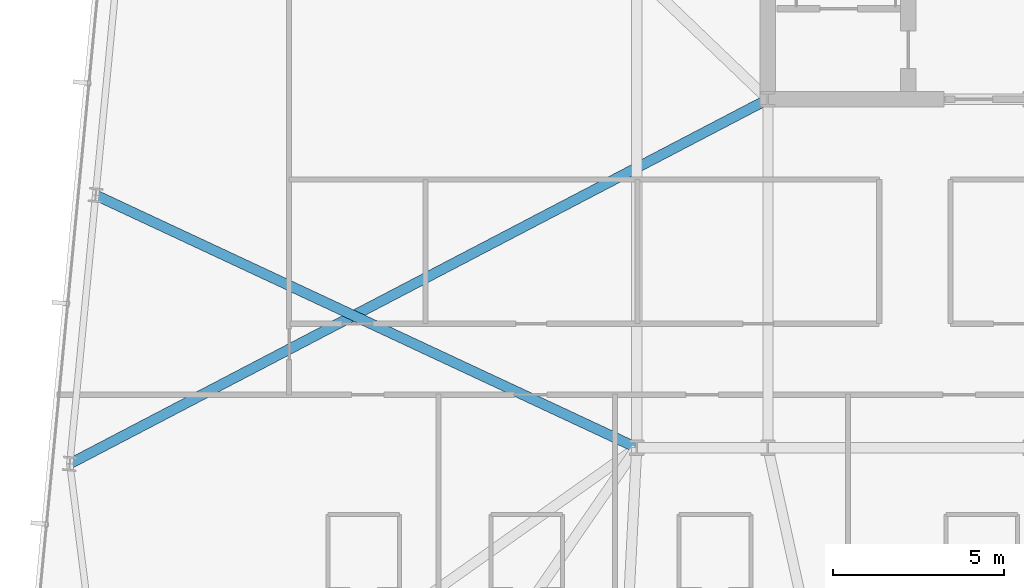
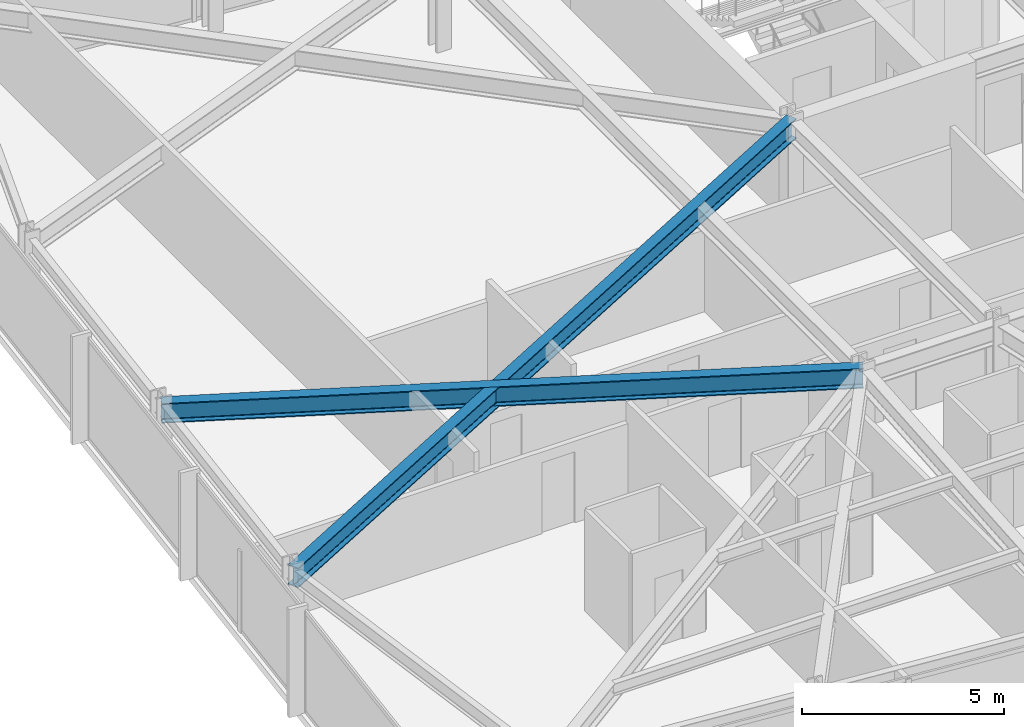
# One storey, part 9 of 38: 2 beams.
"""IFC4 building model written with IfcOpenShell, lengths in metres."""

from ifc_helpers import new_model, si_unit, direction, frame, origin, origin_2d, place, context, subcontext, project, spatial, i_section, extrude, material, material_profile, profile_set, type_object, element, save


model = new_model("IFC4")

# Units and contexts
model_context = context("Model", 3, precision=1e-05, world=origin(), true_north=direction((0.0, 1.0)))
body_context = subcontext(model_context, "Body", "Model", "MODEL_VIEW")
ifc_project = project(units=[si_unit("LENGTHUNIT", "METRE"), si_unit("AREAUNIT", "SQUARE_METRE"), si_unit("VOLUMEUNIT", "CUBIC_METRE"), si_unit("PLANEANGLEUNIT", "RADIAN"), si_unit("MASSUNIT", "GRAM", prefix="KILO")], contexts=[model_context])

# Site, building, storey
site_placement = place(None, origin())
site = spatial("IfcSite", under=ifc_project, at=site_placement, CompositionType="ELEMENT")
building_placement = place(site_placement, origin())
building = spatial("IfcBuilding", under=site, at=building_placement, Name="Yelkora Congress Tower", CompositionType="ELEMENT")
storey_placement = place(building_placement, frame((0.0, 0.0, 172.10009765625)))
storey = spatial("IfcBuildingStorey", under=building, at=storey_placement, Name="L47", CompositionType="ELEMENT", Elevation=172.10009765625)

# Beams
ifc_material = material(Name="Steel S355J2", Category="steel")
ifc_material_profile = material_profile(ifc_material, i_section(OverallWidth=0.300048828125, OverallDepth=0.60009765625, WebThickness=0.015380859375, FlangeThickness=0.030029296875, FilletRadius=0.027099609375, at=origin_2d()), Name="HEB 600")
ifc_profile_set = profile_set([ifc_material_profile], Name="Steel S355J2")
beam_type = type_object("IfcBeamType", Name="BM-GIRD-HEB600", PredefinedType="BEAM", material=ifc_profile_set)
beam_1_placement = place(storey_placement, frame((2.607421875, 24.730712890625, 2.77978515625), z_axis=(0.886430124978, 0.462862434781, 0.0), x_axis=(-0.462862434781, 0.886430124978, 0.0)))
element("IfcBeam", 1, at=beam_1_placement, inside=storey, type_object=beam_type, Name="L47 Primary Frame Girder W01", PredefinedType="BEAM", context=body_context, shape_type="SweptSolid", body=[
    extrude(i_section(OverallWidth=0.300048828125, OverallDepth=0.60009765625, WebThickness=0.015380859375, FlangeThickness=0.030029296875, FilletRadius=0.027099609375, at=origin_2d()), origin(), (0.0, 0.0, 1.0), 23.050537109375),
])
beam_2_placement = place(storey_placement, frame((3.364501953125, 32.594482421875, 2.77978515625), z_axis=(0.906081045456, -0.423104170466, 0.0), x_axis=(0.423104170466, 0.906081045456, 0.0)))
element("IfcBeam", 2, at=beam_2_placement, inside=storey, type_object=beam_type, Name="L47 Primary Frame Girder W02", PredefinedType="BEAM", context=body_context, shape_type="SweptSolid", body=[
    extrude(i_section(OverallWidth=0.300048828125, OverallDepth=0.60009765625, WebThickness=0.015380859375, FlangeThickness=0.030029296875, FilletRadius=0.027099609375, at=origin_2d()), origin(), (0.0, 0.0, 1.0), 17.476806640625),
])

save(model, "model.ifc")
